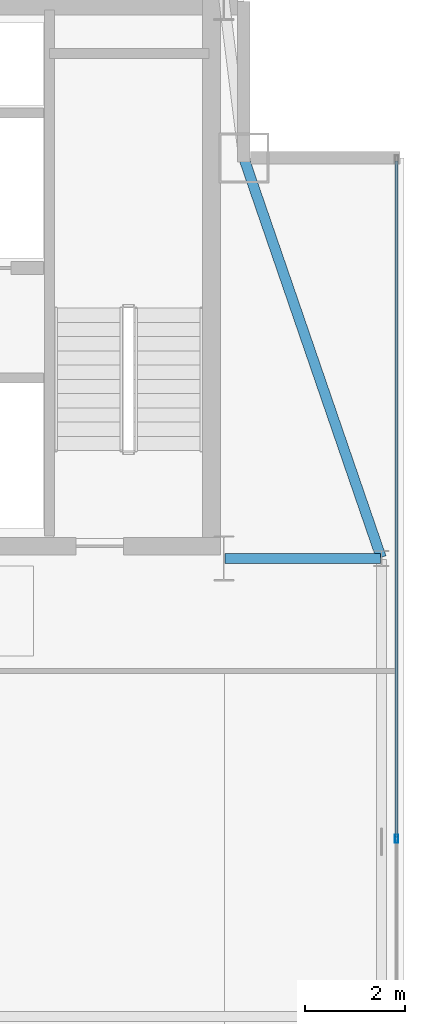
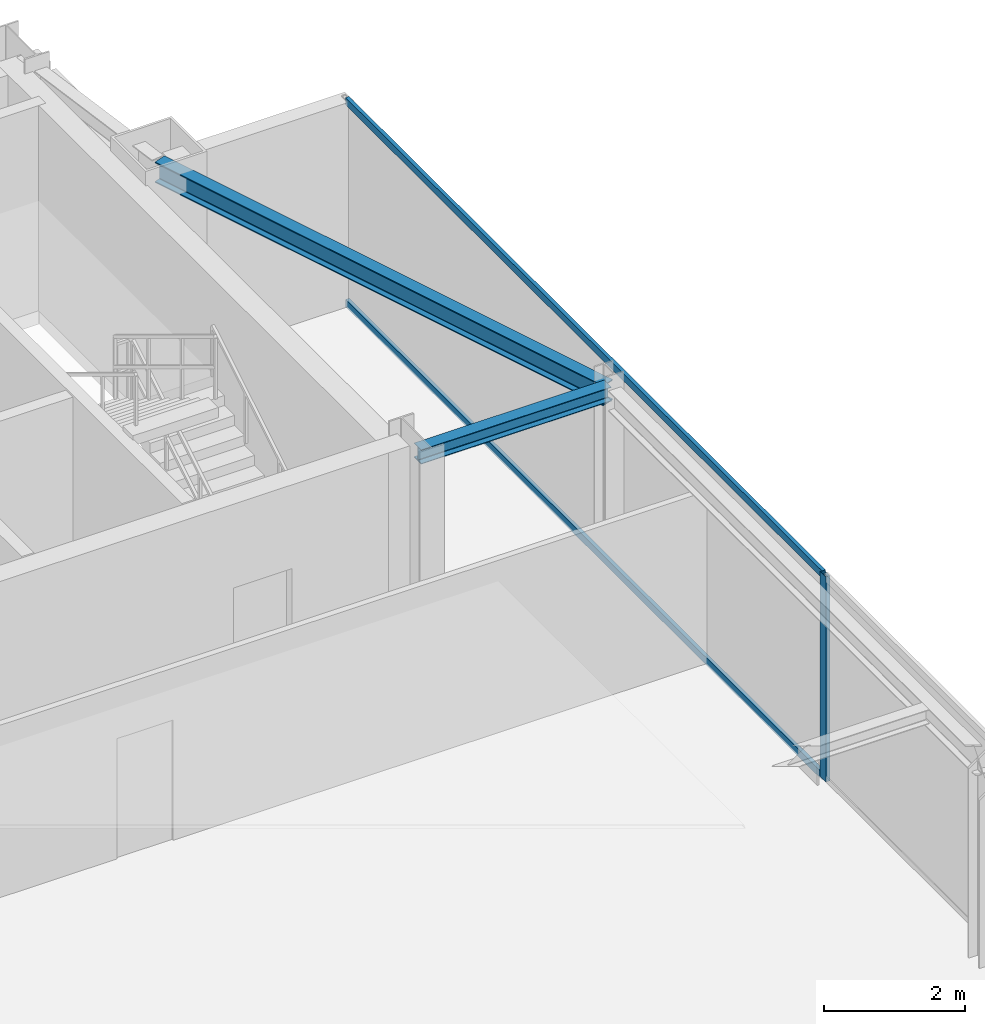
# One storey, part 14 of 23: 3 members, 2 beams, 1 element without a shape of its own.
"""IFC4 building model written with IfcOpenShell, lengths in metres."""

from ifc_helpers import new_model, si_unit, direction, frame, origin, origin_2d, place, context, subcontext, project, spatial, hollow_rectangle, i_section, extrude, source, transform, mapped, material, layer, layer_set, material_profile, profile_set, type_object, type_shapes, element, aggregate, save


model = new_model("IFC4")

# Units and contexts
model_context = context("Model", 3, precision=1e-05, world=origin(), true_north=direction((0.0, 1.0)))
body_context = subcontext(model_context, "Body", "Model", "MODEL_VIEW")
ifc_project = project(units=[si_unit("LENGTHUNIT", "METRE"), si_unit("AREAUNIT", "SQUARE_METRE"), si_unit("VOLUMEUNIT", "CUBIC_METRE"), si_unit("PLANEANGLEUNIT", "RADIAN"), si_unit("MASSUNIT", "GRAM", prefix="KILO")], contexts=[model_context])

# Site, building, storey
site_placement = place(None, origin())
site = spatial("IfcSite", under=ifc_project, at=site_placement, CompositionType="ELEMENT")
building_placement = place(site_placement, origin())
building = spatial("IfcBuilding", under=site, at=building_placement, Name="Varnel Quay Broadcast Tower", CompositionType="ELEMENT")
storey_placement = place(building_placement, frame((0.0, 0.0, 266.0)))
storey = spatial("IfcBuildingStorey", under=building, at=storey_placement, Name="L66", CompositionType="ELEMENT", Elevation=266.0)

# Beams
ifc_material_1 = material(Name="Structural Steel CSA G40.21 350W", Category="steel")
ifc_material_profile_1 = material_profile(ifc_material_1, i_section(OverallWidth=0.205078125, OverallDepth=0.35400390625, WebThickness=0.009521484375, FlangeThickness=0.016845703125, FilletRadius=0.012939453125, at=origin_2d()), Name="W360X79")
ifc_profile_set_1 = profile_set([ifc_material_profile_1], Name="Structural Steel CSA G40.21 350W")
beam_type_1 = type_object("IfcBeamType", Name="Beam_W360X79", PredefinedType="SPANDREL", material=ifc_profile_set_1)
shared_shape_1 = source(origin(), body_context, "Body", "SweptSolid", [
    extrude(i_section(OverallWidth=0.205078125, OverallDepth=0.35400390625, WebThickness=0.009521484375, FlangeThickness=0.016845703125, FilletRadius=0.012939453125, at=origin_2d()), origin(), (0.0, 0.0, 1.0), 8.41943359375),
])
type_shapes(beam_type_1, [shared_shape_1])
beam_1_placement = place(storey_placement, frame((55.54345703125, 35.618896484375, 3.373046875), z_axis=(-0.325087062108, 0.945684092099, 0.0), x_axis=(-0.945684092099, -0.325087062108, 0.0)))
element("IfcBeam", 1, at=beam_1_placement, inside=storey, type_object=beam_type_1, Name="L66 East Spandrel TC-E2-MC-NE", PredefinedType="SPANDREL", context=body_context, shape_type="MappedRepresentation", body=[
    mapped(shared_shape_1, transform((0.0, 0.0, 0.0), x_axis=(1.0, 0.0, 0.0), y_axis=(0.0, 1.0, 0.0), z_axis=(0.0, 0.0, 1.0), scale=1.0)),
])
ifc_material_profile_2 = material_profile(ifc_material_1, i_section(OverallWidth=0.201904296875, OverallDepth=0.2470703125, WebThickness=0.00732421875, FlangeThickness=0.010986328125, FilletRadius=0.010986328125, at=origin_2d()), Name="W250X49")
ifc_profile_set_2 = profile_set([ifc_material_profile_2], Name="Structural Steel CSA G40.21 350W")
beam_type_2 = type_object("IfcBeamType", Name="Beam_W250X49", PredefinedType="JOIST", material=ifc_profile_set_2)
shared_shape_2 = source(origin(), body_context, "Body", "SweptSolid", [
    extrude(i_section(OverallWidth=0.201904296875, OverallDepth=0.2470703125, WebThickness=0.00732421875, FlangeThickness=0.010986328125, FilletRadius=0.010986328125, at=origin_2d()), origin(), (0.0, 0.0, 1.0), 3.110107421875),
])
type_shapes(beam_type_2, [shared_shape_2])
beam_2_placement = place(storey_placement, frame((52.419921875, 35.60009765625, 3.426513671875), z_axis=(1.0, 0.0, 0.0), x_axis=(0.0, 1.0, 0.0)))
element("IfcBeam", 2, at=beam_2_placement, inside=storey, type_object=beam_type_2, Name="L66 East Core Tie Joist", PredefinedType="JOIST", context=body_context, shape_type="MappedRepresentation", body=[
    mapped(shared_shape_2, transform((0.0, 0.0, 0.0), x_axis=(1.0, 0.0, 0.0), y_axis=(0.0, 1.0, 0.0), z_axis=(0.0, 0.0, 1.0), scale=1.0)),
])

# Curtain wall, members
ifc_material_2 = material(Name="Anodised Bronze Aluminium 6063-T6", Category="aluminium")
ifc_layer = layer(ifc_material_2, 0.18994140625, Name="Anodised Bronze Aluminium 6063-T6")
ifc_layer_set = layer_set([ifc_layer], Name="Anodised Bronze Aluminium 6063-T6")
curtain_wall_type = type_object("IfcCurtainWallType", Name="CW_UpperTower", PredefinedType="NOTDEFINED", material=ifc_layer_set)
curtain_wall_placement = place(storey_placement, origin())
curtain_wall = element("IfcCurtainWall", 3, at=curtain_wall_placement, inside=storey, type_object=curtain_wall_type, Name="L66 East Unitised Curtain Wall", PredefinedType="NOTDEFINED")
ifc_material_profile_3 = material_profile(ifc_material_2, hollow_rectangle(XDim=0.06494140625, YDim=0.1650390625, WallThickness=0.00341796875, at=origin_2d()), Name="ALU65X165X3.5")
ifc_profile_set_3 = profile_set([ifc_material_profile_3], Name="Anodised Bronze Aluminium 6063-T6")
member_type_1 = type_object("IfcMemberType", Name="Mull_CWS-03", PredefinedType="MULLION", material=ifc_profile_set_3)
shared_shape_3 = source(origin(), body_context, "Body", "SweptSolid", [
    extrude(hollow_rectangle(XDim=0.06494140625, YDim=0.1650390625, WallThickness=0.00341796875, at=origin_2d()), origin(), (0.0, 0.0, 1.0), 3.550048828125),
])
type_shapes(member_type_1, [shared_shape_3])
member_1_placement = place(storey_placement, frame((55.85009765625, 30.0, 0.0), z_axis=(0.0, 0.0, 1.0), x_axis=(-1.0, 0.0, 0.0)))
member_1 = element("IfcMember", 4, at=member_1_placement, type_object=member_type_1, Name="CWS-03 mullion 2", PredefinedType="MULLION", context=body_context, shape_type="MappedRepresentation", body=[
    mapped(shared_shape_3, transform((0.0, 0.0, 0.0), x_axis=(1.0, 0.0, 0.0), y_axis=(0.0, 1.0, 0.0), z_axis=(0.0, 0.0, 1.0), scale=1.0)),
])
ifc_material_profile_4 = material_profile(ifc_material_2, hollow_rectangle(XDim=0.06005859375, YDim=0.125, WallThickness=0.0029296875, at=origin_2d()), Name="ALU60X125X3")
ifc_profile_set_4 = profile_set([ifc_material_profile_4], Name="Anodised Bronze Aluminium 6063-T6")
member_type_2 = type_object("IfcMemberType", Name="Tran_CWS-03", PredefinedType="USERDEFINED", material=ifc_profile_set_4)
shared_shape_4 = source(origin(), body_context, "Body", "SweptSolid", [
    extrude(hollow_rectangle(XDim=0.06005859375, YDim=0.125, WallThickness=0.0029296875, at=origin_2d()), origin(), (0.0, 0.0, 1.0), 13.50244140625),
])
type_shapes(member_type_2, [shared_shape_4])
member_2_placement = place(storey_placement, frame((55.85009765625, 30.032470703125, 0.030029296875), z_axis=(0.0, 1.0, 0.0), x_axis=(-1.0, 0.0, 0.0)))
member_2 = element("IfcMember", 5, at=member_2_placement, type_object=member_type_2, Name="CWS-03 transom 2.1", ObjectType="TRANSOM", PredefinedType="USERDEFINED", context=body_context, shape_type="MappedRepresentation", body=[
    mapped(shared_shape_4, transform((0.0, 0.0, 0.0), x_axis=(1.0, 0.0, 0.0), y_axis=(0.0, 1.0, 0.0), z_axis=(0.0, 0.0, 1.0), scale=1.0)),
])
member_3_placement = place(storey_placement, frame((55.85009765625, 30.032470703125, 3.52001953125), z_axis=(0.0, 1.0, 0.0), x_axis=(-1.0, 0.0, 0.0)))
member_3 = element("IfcMember", 6, at=member_3_placement, type_object=member_type_2, Name="CWS-03 transom 2.2", ObjectType="TRANSOM", PredefinedType="USERDEFINED", context=body_context, shape_type="MappedRepresentation", body=[
    mapped(shared_shape_4, transform((0.0, 0.0, 0.0), x_axis=(1.0, 0.0, 0.0), y_axis=(0.0, 1.0, 0.0), z_axis=(0.0, 0.0, 1.0), scale=1.0)),
])
aggregate(curtain_wall, [member_1, member_2, member_3])

save(model, "model.ifc")
